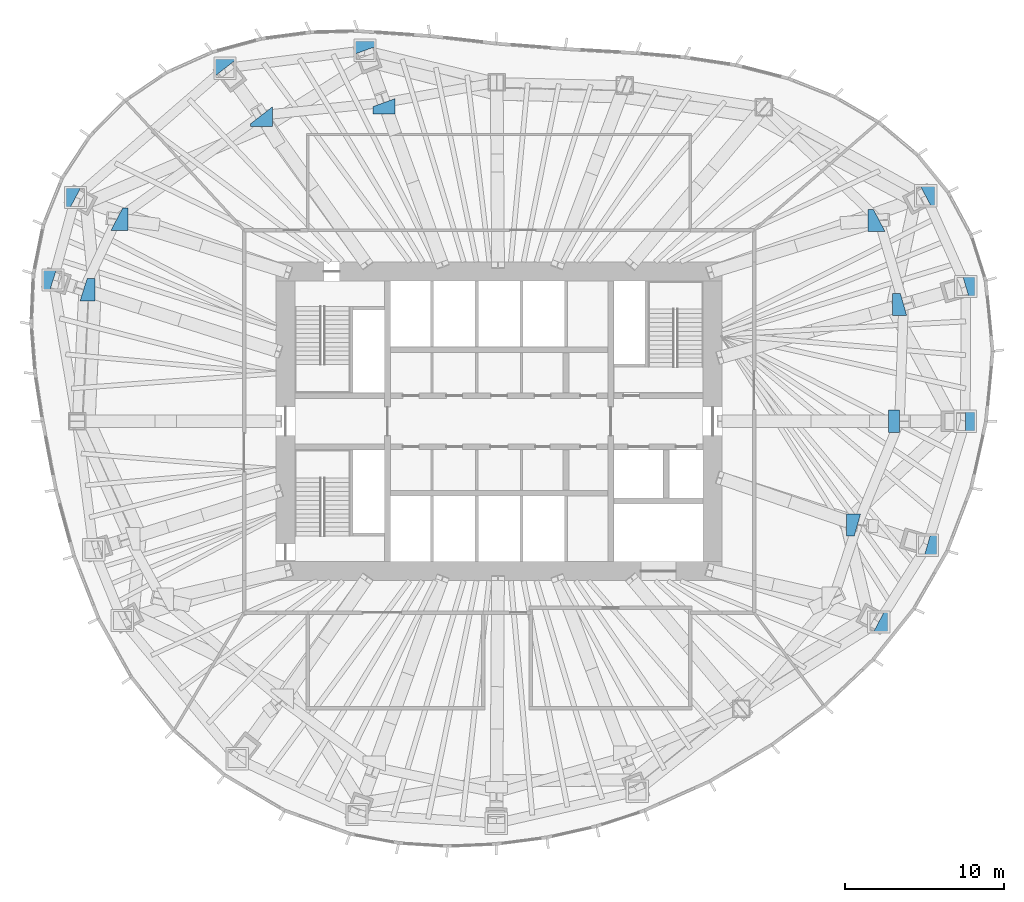
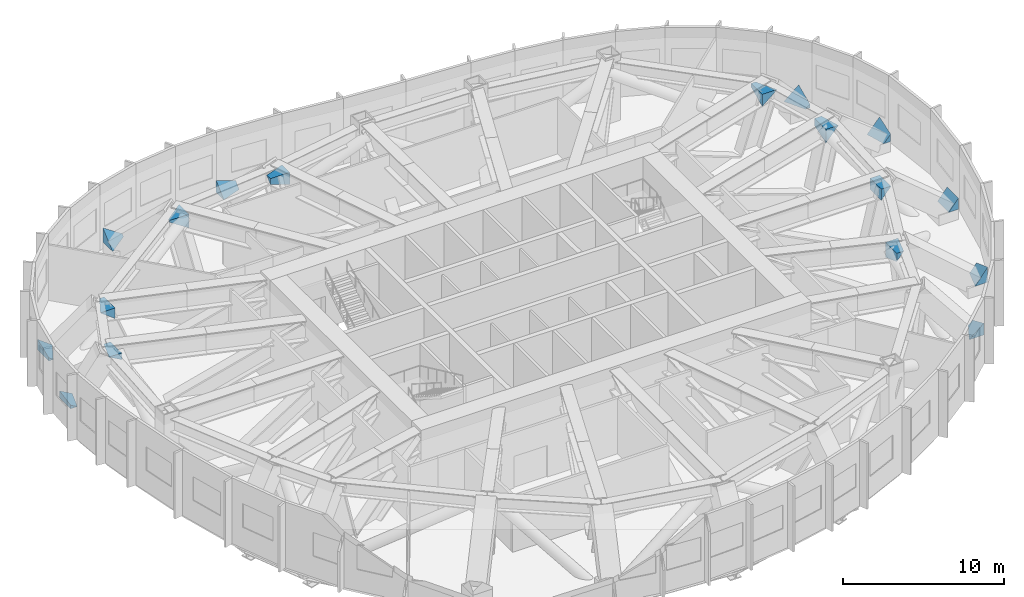
# One storey, part 11 of 12: 17 discrete accessories.
"""IFC4 building model written with IfcOpenShell, lengths in metres."""

from ifc_helpers import new_model, si_unit, direction, frame, origin, origin_2d, place, context, subcontext, project, spatial, rectangle, extrude, clip, halfspace, material, material_profile, profile_set, type_object, element, save


model = new_model("IFC4")

# Units and contexts
model_context = context("Model", 3, precision=1e-05, world=origin(), true_north=direction((0.0, 1.0)))
body_context = subcontext(model_context, "Body", "Model", "MODEL_VIEW")
ifc_project = project(units=[si_unit("LENGTHUNIT", "METRE"), si_unit("AREAUNIT", "SQUARE_METRE"), si_unit("VOLUMEUNIT", "CUBIC_METRE"), si_unit("PLANEANGLEUNIT", "RADIAN"), si_unit("MASSUNIT", "GRAM", prefix="KILO")], contexts=[model_context])

# Site, building, storey
site_placement = place(None, origin())
site = spatial("IfcSite", under=ifc_project, at=site_placement, CompositionType="ELEMENT")
building_placement = place(site_placement, origin())
building = spatial("IfcBuilding", under=site, at=building_placement, Name="Ghaith Harvest Tower", CompositionType="ELEMENT")
storey_placement = place(building_placement, frame((0.0, 0.0, 189.800048828125)))
storey = spatial("IfcBuildingStorey", under=building, at=storey_placement, Name="L41", CompositionType="ELEMENT", Elevation=189.800048828125)

# Discrete accessories
ifc_material = material(Name="Steel S460M", Category="steel")
ifc_material_profile = material_profile(ifc_material, rectangle(XDim=1.39990234375, YDim=1.39990234375, at=origin_2d()), Name="KINK NODE BEARING SHOE 1400")
ifc_profile_set = profile_set([ifc_material_profile], Name="Steel S460M")
discrete_accessory_type = type_object("IfcDiscreteAccessoryType", Name="KINK NODE BEARING SHOE 1400", PredefinedType="SHOE", material=ifc_profile_set)
discrete_accessory_1_placement = place(storey_placement, frame((29.259033203125, 0.0, 0.77490234375), z_axis=(0.0, 0.0, 1.0), x_axis=(1.0, 0.0, 0.0)))
element("IfcDiscreteAccessory", 1, at=discrete_accessory_1_placement, inside=storey, type_object=discrete_accessory_type, Name="Kink node bearing shoe C01 base L41", PredefinedType="SHOE", context=body_context, shape_type="Clipping", body=[
    clip(extrude(rectangle(XDim=1.39990234375, YDim=1.39990234375, at=origin_2d()), origin(), (0.0, 0.0, 1.0), 0.848876953125), halfspace(frame((0.0, 0.0, 0.0), z_axis=(-0.767764396667, 0.0, 0.640732261722), x_axis=(1.0, 0.0, 0.0)), False)),
])
discrete_accessory_2_placement = place(storey_placement, frame((25.125, 0.0, 3.376220703125), z_axis=(0.0, 0.0, 1.0), x_axis=(1.0, 0.0, 0.0)))
element("IfcDiscreteAccessory", 2, at=discrete_accessory_2_placement, inside=storey, type_object=discrete_accessory_type, Name="Kink node bearing shoe C01 head L41", PredefinedType="SHOE", context=body_context, shape_type="Clipping", body=[
    clip(extrude(rectangle(XDim=1.39990234375, YDim=1.39990234375, at=origin_2d()), origin(), (0.0, 0.0, 1.0), 0.8486328125), halfspace(frame((0.0, 0.0, 0.8486328125), z_axis=(0.767764396667, 0.0, -0.640732261722), x_axis=(1.0, 0.0, 0.0)), False)),
])
discrete_accessory_3_placement = place(storey_placement, frame((29.285888671875, 8.464111328125, 0.77490234375), z_axis=(0.0, 0.0, 1.0), x_axis=(1.0, 0.0, 0.0)))
element("IfcDiscreteAccessory", 3, at=discrete_accessory_3_placement, inside=storey, type_object=discrete_accessory_type, Name="Kink node bearing shoe C02 base L41", PredefinedType="SHOE", context=body_context, shape_type="Clipping", body=[
    clip(extrude(rectangle(XDim=1.39990234375, YDim=1.39990234375, at=origin_2d()), origin(), (0.0, 0.0, 1.0), 1.031982421875), halfspace(frame((0.0, 0.0, 0.0), z_axis=(-0.732683539105, -0.21166830003, 0.646816328093), x_axis=(1.0, 0.0, 0.0)), False)),
])
discrete_accessory_4_placement = place(storey_placement, frame((25.3779296875, 7.3349609375, 3.19287109375), z_axis=(0.0, 0.0, 1.0), x_axis=(1.0, 0.0, 0.0)))
element("IfcDiscreteAccessory", 4, at=discrete_accessory_4_placement, inside=storey, type_object=discrete_accessory_type, Name="Kink node bearing shoe C02 head L41", PredefinedType="SHOE", context=body_context, shape_type="Clipping", body=[
    clip(extrude(rectangle(XDim=1.39990234375, YDim=1.39990234375, at=origin_2d()), origin(), (0.0, 0.0, 1.0), 1.031982421875), halfspace(frame((0.0, 0.0, 1.031982421875), z_axis=(0.732683539105, 0.21166830003, -0.646816328093), x_axis=(1.0, 0.0, 0.0)), False)),
])
discrete_accessory_5_placement = place(storey_placement, frame((26.763916015625, 14.14697265625, 0.77490234375), z_axis=(0.0, 0.0, 1.0), x_axis=(1.0, 0.0, 0.0)))
element("IfcDiscreteAccessory", 5, at=discrete_accessory_5_placement, inside=storey, type_object=discrete_accessory_type, Name="Kink node bearing shoe C03 base L41", PredefinedType="SHOE", context=body_context, shape_type="Clipping", body=[
    clip(extrude(rectangle(XDim=1.39990234375, YDim=1.39990234375, at=origin_2d()), origin(), (0.0, 0.0, 1.0), 0.913330078125), halfspace(frame((0.0, 0.0, 0.0), z_axis=(-0.610469516035, -0.322844456019, 0.723255437041), x_axis=(1.0, 0.0, 0.0)), False)),
])
discrete_accessory_6_placement = place(storey_placement, frame((23.85205078125, 12.60693359375, 3.311767578125), z_axis=(0.0, 0.0, 1.0), x_axis=(1.0, 0.0, 0.0)))
element("IfcDiscreteAccessory", 6, at=discrete_accessory_6_placement, inside=storey, type_object=discrete_accessory_type, Name="Kink node bearing shoe C03 head L41", PredefinedType="SHOE", context=body_context, shape_type="Clipping", body=[
    clip(extrude(rectangle(XDim=1.39990234375, YDim=1.39990234375, at=origin_2d()), origin(), (0.0, 0.0, 1.0), 0.9130859375), halfspace(frame((0.0, 0.0, 0.9130859375), z_axis=(0.610469516035, 0.322844456019, -0.723255437041), x_axis=(1.0, 0.0, 0.0)), False)),
])
discrete_accessory_7_placement = place(storey_placement, frame((-8.406982421875, 23.27587890625, 0.77490234375), z_axis=(0.0, 0.0, 1.0), x_axis=(1.0, 0.0, 0.0)))
element("IfcDiscreteAccessory", 7, at=discrete_accessory_7_placement, inside=storey, type_object=discrete_accessory_type, Name="Kink node bearing shoe C07 base L41", PredefinedType="SHOE", context=body_context, shape_type="Clipping", body=[
    clip(extrude(rectangle(XDim=1.39990234375, YDim=1.39990234375, at=origin_2d()), origin(), (0.0, 0.0, 1.0), 0.915771484375), halfspace(frame((0.0, 0.0, 0.0), z_axis=(0.24159251896, -0.668507905891, 0.703370623885), x_axis=(1.0, 0.0, 0.0)), False)),
])
discrete_accessory_8_placement = place(storey_placement, frame((-7.221923828125, 19.9970703125, 3.309326171875), z_axis=(0.0, 0.0, 1.0), x_axis=(1.0, 0.0, 0.0)))
element("IfcDiscreteAccessory", 8, at=discrete_accessory_8_placement, inside=storey, type_object=discrete_accessory_type, Name="Kink node bearing shoe C07 head L41", PredefinedType="SHOE", context=body_context, shape_type="Clipping", body=[
    clip(extrude(rectangle(XDim=1.39990234375, YDim=1.39990234375, at=origin_2d()), origin(), (0.0, 0.0, 1.0), 0.91552734375), halfspace(frame((0.0, 0.0, 0.91552734375), z_axis=(-0.24159251896, 0.668507905891, -0.703370623885), x_axis=(1.0, 0.0, 0.0)), False)),
])
discrete_accessory_9_placement = place(storey_placement, frame((-17.201904296875, 22.14990234375, 0.77490234375), z_axis=(0.0, 0.0, 1.0), x_axis=(1.0, 0.0, 0.0)))
element("IfcDiscreteAccessory", 9, at=discrete_accessory_9_placement, inside=storey, type_object=discrete_accessory_type, Name="Kink node bearing shoe C08 base L41", PredefinedType="SHOE", context=body_context, shape_type="Clipping", body=[
    clip(extrude(rectangle(XDim=1.39990234375, YDim=1.39990234375, at=origin_2d()), origin(), (0.0, 0.0, 1.0), 1.073486328125), halfspace(frame((0.0, 0.0, 0.0), z_axis=(0.45057168493, -0.58017742091, 0.678512576895), x_axis=(1.0, 0.0, 0.0)), False)),
])
discrete_accessory_10_placement = place(storey_placement, frame((-14.910888671875, 19.199951171875, 3.151611328125), z_axis=(0.0, 0.0, 1.0), x_axis=(1.0, 0.0, 0.0)))
element("IfcDiscreteAccessory", 10, at=discrete_accessory_10_placement, inside=storey, type_object=discrete_accessory_type, Name="Kink node bearing shoe C08 head L41", PredefinedType="SHOE", context=body_context, shape_type="Clipping", body=[
    clip(extrude(rectangle(XDim=1.39990234375, YDim=1.39990234375, at=origin_2d()), origin(), (0.0, 0.0, 1.0), 1.0732421875), halfspace(frame((0.0, 0.0, 1.0732421875), z_axis=(-0.45057168493, 0.58017742091, -0.678512576895), x_axis=(1.0, 0.0, 0.0)), False)),
])
discrete_accessory_11_placement = place(storey_placement, frame((-26.572998046875, 14.0458984375, 0.77490234375), z_axis=(0.0, 0.0, 1.0), x_axis=(1.0, 0.0, 0.0)))
element("IfcDiscreteAccessory", 11, at=discrete_accessory_11_placement, inside=storey, type_object=discrete_accessory_type, Name="Kink node bearing shoe C09 base L41", PredefinedType="SHOE", context=body_context, shape_type="Clipping", body=[
    clip(extrude(rectangle(XDim=1.39990234375, YDim=1.39990234375, at=origin_2d()), origin(), (0.0, 0.0, 1.0), 0.8125), halfspace(frame((0.0, 0.0, 0.0), z_axis=(0.571840239925, -0.30238788096, 0.7626010159), x_axis=(1.0, 0.0, 0.0)), False)),
])
discrete_accessory_12_placement = place(storey_placement, frame((-23.986083984375, 12.677978515625, 3.412353515625), z_axis=(0.0, 0.0, 1.0), x_axis=(1.0, 0.0, 0.0)))
element("IfcDiscreteAccessory", 12, at=discrete_accessory_12_placement, inside=storey, type_object=discrete_accessory_type, Name="Kink node bearing shoe C09 head L41", PredefinedType="SHOE", context=body_context, shape_type="Clipping", body=[
    clip(extrude(rectangle(XDim=1.39990234375, YDim=1.39990234375, at=origin_2d()), origin(), (0.0, 0.0, 1.0), 0.8125), halfspace(frame((0.0, 0.0, 0.8125), z_axis=(-0.571840239925, 0.30238788096, -0.7626010159), x_axis=(1.0, 0.0, 0.0)), False)),
])
discrete_accessory_13_placement = place(storey_placement, frame((-27.98291015625, 8.867919921875, 0.77490234375), z_axis=(0.0, 0.0, 1.0), x_axis=(1.0, 0.0, 0.0)))
element("IfcDiscreteAccessory", 13, at=discrete_accessory_13_placement, inside=storey, type_object=discrete_accessory_type, Name="Kink node bearing shoe C10 base L41", PredefinedType="SHOE", context=body_context, shape_type="Clipping", body=[
    clip(extrude(rectangle(XDim=1.39990234375, YDim=1.39990234375, at=origin_2d()), origin(), (0.0, 0.0, 1.0), 0.52197265625), halfspace(frame((0.0, 0.0, 0.0), z_axis=(0.479870479873, -0.15202577296, 0.864067408772), x_axis=(1.0, 0.0, 0.0)), False)),
])
discrete_accessory_14_placement = place(storey_placement, frame((-26.06689453125, 8.260986328125, 3.703125), z_axis=(0.0, 0.0, 1.0), x_axis=(1.0, 0.0, 0.0)))
element("IfcDiscreteAccessory", 14, at=discrete_accessory_14_placement, inside=storey, type_object=discrete_accessory_type, Name="Kink node bearing shoe C10 head L41", PredefinedType="SHOE", context=body_context, shape_type="Clipping", body=[
    clip(extrude(rectangle(XDim=1.39990234375, YDim=1.39990234375, at=origin_2d()), origin(), (0.0, 0.0, 1.0), 0.521728515625), halfspace(frame((0.0, 0.0, 0.521728515625), z_axis=(-0.479870479873, 0.15202577296, -0.864067408772), x_axis=(1.0, 0.0, 0.0)), False)),
])
discrete_accessory_15_placement = place(storey_placement, frame((23.825927734375, -12.593994140625, 0.77490234375), z_axis=(0.0, 0.0, 1.0), x_axis=(1.0, 0.0, 0.0)))
element("IfcDiscreteAccessory", 15, at=discrete_accessory_15_placement, inside=storey, type_object=discrete_accessory_type, Name="Kink node bearing shoe C19 base L41", PredefinedType="SHOE", context=body_context, shape_type="Clipping", body=[
    clip(extrude(rectangle(XDim=1.39990234375, YDim=1.39990234375, at=origin_2d()), origin(), (0.0, 0.0, 1.0), 0.8935546875), halfspace(frame((0.0, 0.0, 0.0), z_axis=(-0.603480664003, 0.319003819002, 0.730785640004), x_axis=(1.0, 0.0, 0.0)), False)),
])
discrete_accessory_16_placement = place(storey_placement, frame((26.8779296875, -7.76806640625, 0.77490234375), z_axis=(0.0, 0.0, 1.0), x_axis=(1.0, 0.0, 0.0)))
element("IfcDiscreteAccessory", 16, at=discrete_accessory_16_placement, inside=storey, type_object=discrete_accessory_type, Name="Kink node bearing shoe C20 base L41", PredefinedType="SHOE", context=body_context, shape_type="Clipping", body=[
    clip(extrude(rectangle(XDim=1.39990234375, YDim=1.39990234375, at=origin_2d()), origin(), (0.0, 0.0, 1.0), 1.158935546875), halfspace(frame((0.0, 0.0, 0.0), z_axis=(-0.76691886016, 0.221538819046, 0.602292299126), x_axis=(1.0, 0.0, 0.0)), False)),
])
discrete_accessory_17_placement = place(storey_placement, frame((22.485107421875, -6.4990234375, 3.066162109375), z_axis=(0.0, 0.0, 1.0), x_axis=(1.0, 0.0, 0.0)))
element("IfcDiscreteAccessory", 17, at=discrete_accessory_17_placement, inside=storey, type_object=discrete_accessory_type, Name="Kink node bearing shoe C20 head L41", PredefinedType="SHOE", context=body_context, shape_type="Clipping", body=[
    clip(extrude(rectangle(XDim=1.39990234375, YDim=1.39990234375, at=origin_2d()), origin(), (0.0, 0.0, 1.0), 1.15869140625), halfspace(frame((0.0, 0.0, 1.15869140625), z_axis=(0.76691886016, -0.221538819046, -0.602292299126), x_axis=(1.0, 0.0, 0.0)), False)),
])

save(model, "model.ifc")
